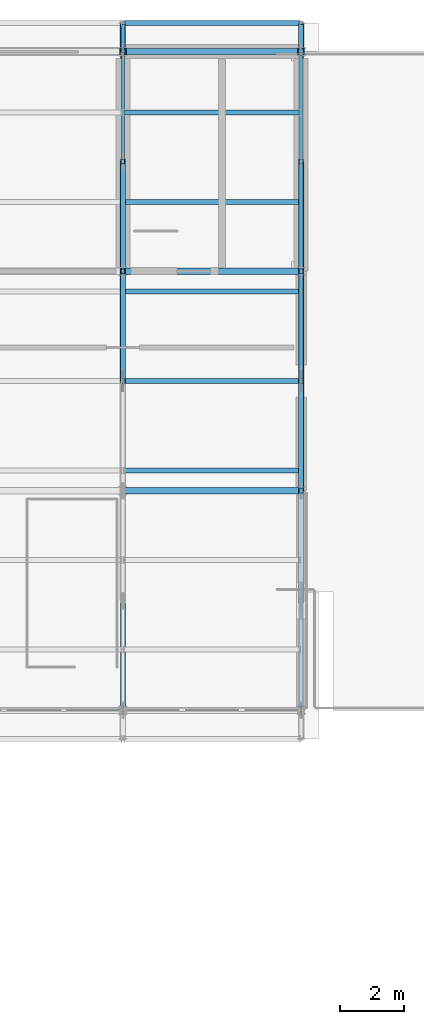
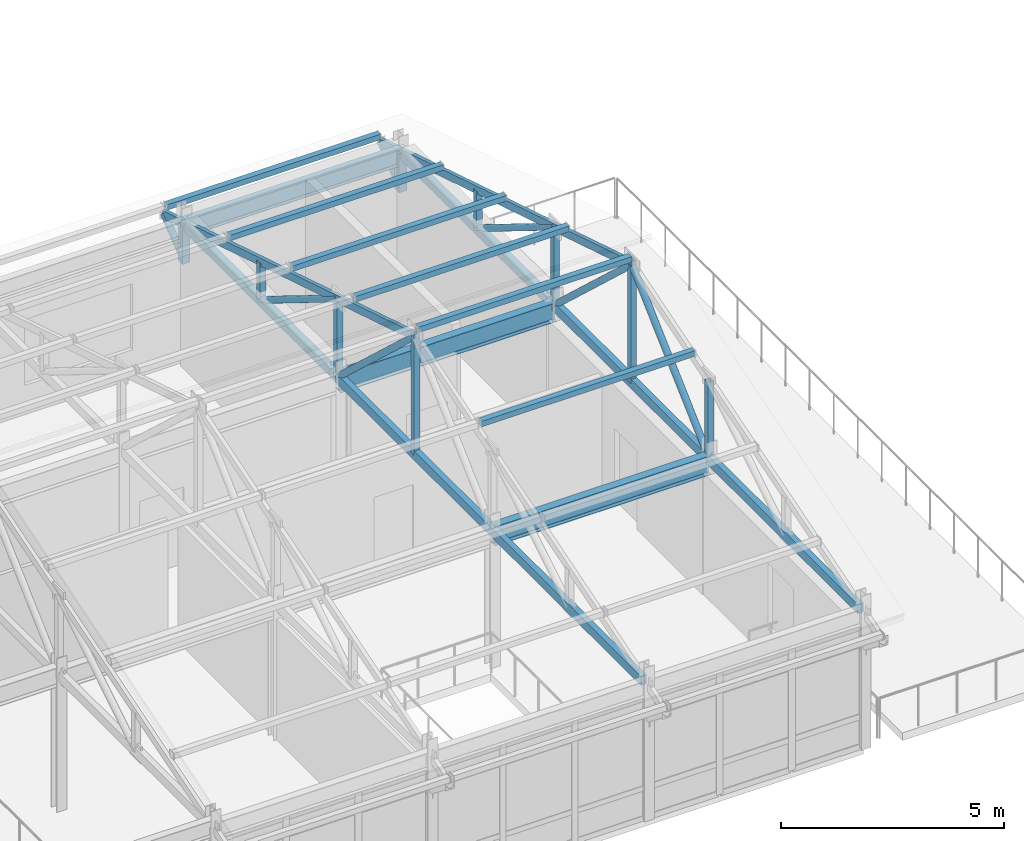
# One storey, part 78 of 144: 26 members, 3 beams.
"""IFC4 building model written with IfcOpenShell, lengths in metres."""

from ifc_helpers import new_model, si_unit, direction, frame, origin, origin_2d, place, context, subcontext, project, spatial, hollow_rectangle, hollow_circle, i_section, extrude, material, material_profile, profile_set, type_object, element, save


model = new_model("IFC4")

# Units and contexts
model_context = context("Model", 3, precision=1e-05, world=origin(), true_north=direction((0.0, 1.0)))
body_context = subcontext(model_context, "Body", "Model", "MODEL_VIEW")
ifc_project = project(units=[si_unit("LENGTHUNIT", "METRE"), si_unit("AREAUNIT", "SQUARE_METRE"), si_unit("VOLUMEUNIT", "CUBIC_METRE"), si_unit("PLANEANGLEUNIT", "RADIAN"), si_unit("MASSUNIT", "GRAM", prefix="KILO")], contexts=[model_context])

# Site, building, storey
site_placement = place(None, origin())
site = spatial("IfcSite", under=ifc_project, at=site_placement, CompositionType="ELEMENT")
building_placement = place(site_placement, origin())
building = spatial("IfcBuilding", under=site, at=building_placement, Name="Trelmorton Wharf Fire Station", CompositionType="ELEMENT")
storey_placement = place(building_placement, frame((0.0, 0.0, 5.39990234375)))
storey = spatial("IfcBuildingStorey", under=building, at=storey_placement, Name="L01", CompositionType="ELEMENT", Elevation=5.39990234375)

# Beams
ifc_material_1 = material(Name="Steel Grade 350", Category="steel")
ifc_material_profile_1 = material_profile(ifc_material_1, i_section(OverallWidth=0.208984375, OverallDepth=0.528076171875, WebThickness=0.009521484375, FlangeThickness=0.01318359375, FilletRadius=0.013916015625, at=origin_2d()), Name="530UB82.0")
ifc_profile_set_1 = profile_set([ifc_material_profile_1], Name="Steel Grade 350")
beam_type_1 = type_object("IfcBeamType", Name="BM_530UB82", PredefinedType="BEAM", material=ifc_profile_set_1)
for number, where, z_axis, x_axis, name in (
    (1, (34.404052734375, 67.199951171875, 3.55615234375), (1.0, 0.0, 0.0), (0.0, 1.0, 0.0), "BM-L01-0512"),
    (2, (34.404052734375, 74.10009765625, 3.55615234375), (1.0, 0.0, 0.0), (0.0, 1.0, 0.0), "BM-L01-0531"),
):
    element("IfcBeam", number, at=place(storey_placement, frame(where, z_axis=z_axis, x_axis=x_axis)), inside=storey, type_object=beam_type_1, Name=name, PredefinedType="BEAM", context=body_context, shape_type="SweptSolid", body=[
        extrude(i_section(OverallWidth=0.208984375, OverallDepth=0.528076171875, WebThickness=0.009521484375, FlangeThickness=0.01318359375, FilletRadius=0.013916015625, at=origin_2d()), origin(), (0.0, 0.0, 1.0), 5.592041015625),
    ])

# Members
ifc_material_2 = material(Name="Steel C350L0 (350 MPa)", Category="steel")
ifc_material_profile_2 = material_profile(ifc_material_2, hollow_rectangle(XDim=0.14990234375, YDim=0.14990234375, WallThickness=0.009033203125, at=origin_2d()), Name="150x150x9.0SHS")
ifc_profile_set_2 = profile_set([ifc_material_profile_2], Name="Steel C350L0 (350 MPa)")
member_type_1 = type_object("IfcMemberType", Name="PR_150SHS", PredefinedType="PURLIN", material=ifc_profile_set_2)
for number, where, z_axis, x_axis, name in (
    (3, (34.447021484375, 67.83740234375, 6.207763671875), (1.0, 0.0, 0.0), (0.0, 1.0, 0.0), "V6-PR-B03-S3"),
    (4, (34.447021484375, 70.64990234375, 7.077392578125), (1.0, 0.0, 0.0), (0.0, 1.0, 0.0), "V6-PR-B03-S4"),
    (5, (34.447021484375, 73.46240234375, 6.207763671875), (1.0, 0.0, 0.0), (0.0, 1.0, 0.0), "V6-PR-B03-N1"),
    (6, (34.447021484375, 76.27490234375, 5.338134765625), (1.0, 0.0, 0.0), (0.0, 1.0, 0.0), "V6-PR-B03-N2"),
    (7, (34.447021484375, 79.08740234375, 4.468505859375), (1.0, 0.0, 0.0), (0.0, 1.0, 0.0), "V6-PR-B03-N3"),
    (8, (34.447021484375, 81.89990234375, 3.598876953125), (1.0, 0.0, 0.0), (0.0, 1.0, 0.0), "V6-PR-B03-N4"),
):
    element("IfcMember", number, at=place(storey_placement, frame(where, z_axis=z_axis, x_axis=x_axis)), inside=storey, type_object=member_type_1, Name=name, PredefinedType="PURLIN", context=body_context, shape_type="SweptSolid", body=[
        extrude(hollow_rectangle(XDim=0.14990234375, YDim=0.14990234375, WallThickness=0.009033203125, at=origin_2d()), origin(), (0.0, 0.0, 1.0), 5.505859375),
    ])

# Beam
ifc_material_profile_3 = material_profile(ifc_material_1, i_section(OverallWidth=0.18994140625, OverallDepth=0.45703125, WebThickness=0.009033203125, FlangeThickness=0.014404296875, FilletRadius=0.011474609375, at=origin_2d()), Name="460UB74.6")
ifc_profile_set_3 = profile_set([ifc_material_profile_3], Name="Steel Grade 350")
beam_type_2 = type_object("IfcBeamType", Name="SP_460UB75", PredefinedType="SPANDREL", material=ifc_profile_set_3)
beam_placement = place(storey_placement, frame((34.404052734375, 81.0, 3.591552734375), z_axis=(1.0, 0.0, 0.0), x_axis=(0.0, 1.0, 0.0)))
element("IfcBeam", 9, at=beam_placement, inside=storey, type_object=beam_type_2, Name="BM-L01-0550", PredefinedType="SPANDREL", context=body_context, shape_type="SweptSolid", body=[
    extrude(i_section(OverallWidth=0.18994140625, OverallDepth=0.45703125, WebThickness=0.009033203125, FlangeThickness=0.014404296875, FilletRadius=0.011474609375, at=origin_2d()), origin(), (0.0, 0.0, 1.0), 5.592041015625),
])

# Members
ifc_material_profile_4 = material_profile(ifc_material_2, hollow_rectangle(XDim=0.14990234375, YDim=0.25, WallThickness=0.009033203125, at=origin_2d()), Name="250x150x9.0RHS")
ifc_profile_set_4 = profile_set([ifc_material_profile_4], Name="Steel C350L0 (350 MPa)")
member_type_2 = type_object("IfcMemberType", Name="TR_CHORD_250RHS", PredefinedType="CHORD", material=ifc_profile_set_4)
for number, where, z_axis, x_axis, name in (
    (10, (34.39990234375, 60.426025390625, 3.68408203125), (0.0, 1.0, 0.0), (-1.0, 0.0, 0.0), "V6-TR03-BC"),
    (11, (40.0, 60.426025390625, 3.68408203125), (0.0, 1.0, 0.0), (-1.0, 0.0, 0.0), "V6-TR04-BC"),
):
    element("IfcMember", number, at=place(storey_placement, frame(where, z_axis=z_axis, x_axis=x_axis)), inside=storey, type_object=member_type_2, Name=name, PredefinedType="CHORD", context=body_context, shape_type="SweptSolid", body=[
        extrude(hollow_rectangle(XDim=0.14990234375, YDim=0.25, WallThickness=0.009033203125, at=origin_2d()), origin(), (0.0, 0.0, 1.0), 20.447998046875),
    ])
ifc_material_profile_5 = material_profile(ifc_material_2, hollow_circle(Radius=0.084228515625, WallThickness=0.007080078125, at=origin_2d()), Name="168.3x7.1CHS")
ifc_profile_set_5 = profile_set([ifc_material_profile_5], Name="Steel C350L0 (350 MPa)")
member_type_3 = type_object("IfcMemberType", Name="TR_DIAG_168CHS", PredefinedType="STRUT", material=ifc_profile_set_5)
member_1_placement = place(storey_placement, frame((34.39990234375, 81.0, 2.7001953125), z_axis=(0.0, 0.786955048381, 0.617010333647), x_axis=(-1.0, 0.0, 0.0)))
element("IfcMember", 12, at=member_1_placement, inside=storey, type_object=member_type_3, Name="V6-TR03-EAV-N", PredefinedType="STRUT", context=body_context, shape_type="SweptSolid", body=[
    extrude(hollow_circle(Radius=0.084228515625, WallThickness=0.007080078125, at=origin_2d()), origin(), (0.0, 0.0, 1.0), 1.1435546875),
])
member_2_placement = place(storey_placement, frame((34.39990234375, 77.550048828125, 3.68408203125), z_axis=(0.0, -0.85052799659, 0.525929773845), x_axis=(1.0, 0.0, 0.0)))
element("IfcMember", 13, at=member_2_placement, inside=storey, type_object=member_type_3, Name="V6-TR03-DG-N1", PredefinedType="STRUT", context=body_context, shape_type="SweptSolid", body=[
    extrude(hollow_circle(Radius=0.084228515625, WallThickness=0.007080078125, at=origin_2d()), origin(), (0.0, 0.0, 1.0), 4.05615234375),
])
member_3_placement = place(storey_placement, frame((34.39990234375, 74.10009765625, 3.68408203125), z_axis=(0.0, -0.733196194837, 0.680017161458), x_axis=(1.0, 0.0, 0.0)))
element("IfcMember", 14, at=member_3_placement, inside=storey, type_object=member_type_3, Name="V6-TR03-DG-N2", PredefinedType="STRUT", context=body_context, shape_type="SweptSolid", body=[
    extrude(hollow_circle(Radius=0.084228515625, WallThickness=0.007080078125, at=origin_2d()), origin(), (0.0, 0.0, 1.0), 4.705810546875),
])
member_4_placement = place(storey_placement, frame((40.0, 81.0, 2.7001953125), z_axis=(0.0, 0.786955048381, 0.617010333647), x_axis=(-1.0, 0.0, 0.0)))
element("IfcMember", 15, at=member_4_placement, inside=storey, type_object=member_type_3, Name="V6-TR04-EAV-N", PredefinedType="STRUT", context=body_context, shape_type="SweptSolid", body=[
    extrude(hollow_circle(Radius=0.084228515625, WallThickness=0.007080078125, at=origin_2d()), origin(), (0.0, 0.0, 1.0), 1.1435546875),
])
member_5_placement = place(storey_placement, frame((40.0, 67.199951171875, 3.68408203125), z_axis=(0.0, 0.733172202027, 0.680043029649), x_axis=(-1.0, 0.0, 0.0)))
element("IfcMember", 16, at=member_5_placement, inside=storey, type_object=member_type_3, Name="V6-TR04-DG-S2", PredefinedType="STRUT", context=body_context, shape_type="SweptSolid", body=[
    extrude(hollow_circle(Radius=0.084228515625, WallThickness=0.007080078125, at=origin_2d()), origin(), (0.0, 0.0, 1.0), 4.70556640625),
])
member_6_placement = place(storey_placement, frame((40.0, 77.550048828125, 3.68408203125), z_axis=(0.0, -0.85052799659, 0.525929773845), x_axis=(1.0, 0.0, 0.0)))
element("IfcMember", 17, at=member_6_placement, inside=storey, type_object=member_type_3, Name="V6-TR04-DG-N1", PredefinedType="STRUT", context=body_context, shape_type="SweptSolid", body=[
    extrude(hollow_circle(Radius=0.084228515625, WallThickness=0.007080078125, at=origin_2d()), origin(), (0.0, 0.0, 1.0), 4.05615234375),
])
member_7_placement = place(storey_placement, frame((40.0, 74.10009765625, 3.68408203125), z_axis=(0.0, -0.733196194837, 0.680017161458), x_axis=(1.0, 0.0, 0.0)))
element("IfcMember", 18, at=member_7_placement, inside=storey, type_object=member_type_3, Name="V6-TR04-DG-N2", PredefinedType="STRUT", context=body_context, shape_type="SweptSolid", body=[
    extrude(hollow_circle(Radius=0.084228515625, WallThickness=0.007080078125, at=origin_2d()), origin(), (0.0, 0.0, 1.0), 4.705810546875),
])
ifc_material_profile_6 = material_profile(ifc_material_2, hollow_rectangle(XDim=0.14990234375, YDim=0.14990234375, WallThickness=0.009033203125, at=origin_2d()), Name="150x150x9.0SHS")
ifc_profile_set_6 = profile_set([ifc_material_profile_6], Name="Steel C350L0 (350 MPa)")
member_type_4 = type_object("IfcMemberType", Name="TR_POST_150SHS", PredefinedType="POST", material=ifc_profile_set_6)
member_8_placement = place(storey_placement, frame((34.39990234375, 70.64990234375, 3.68408203125), z_axis=(0.0, 0.0, 1.0), x_axis=(1.0, 0.0, 0.0)))
element("IfcMember", 19, at=member_8_placement, inside=storey, type_object=member_type_4, Name="V6-TR03-KP", PredefinedType="POST", context=body_context, shape_type="SweptSolid", body=[
    extrude(hollow_rectangle(XDim=0.14990234375, YDim=0.14990234375, WallThickness=0.009033203125, at=origin_2d()), origin(), (0.0, 0.0, 1.0), 3.322265625),
])
member_9_placement = place(storey_placement, frame((34.39990234375, 77.550048828125, 3.68408203125), z_axis=(0.0, 0.0, 1.0), x_axis=(1.0, 0.0, 0.0)))
element("IfcMember", 20, at=member_9_placement, inside=storey, type_object=member_type_4, Name="V6-TR03-VP-N1", PredefinedType="POST", context=body_context, shape_type="SweptSolid", body=[
    extrude(hollow_rectangle(XDim=0.14990234375, YDim=0.14990234375, WallThickness=0.009033203125, at=origin_2d()), origin(), (0.0, 0.0, 1.0), 1.066650390625),
])
member_10_placement = place(storey_placement, frame((34.39990234375, 74.10009765625, 3.68408203125), z_axis=(0.0, 0.0, 1.0), x_axis=(1.0, 0.0, 0.0)))
element("IfcMember", 21, at=member_10_placement, inside=storey, type_object=member_type_4, Name="V6-TR03-VP-N2", PredefinedType="POST", context=body_context, shape_type="SweptSolid", body=[
    extrude(hollow_rectangle(XDim=0.14990234375, YDim=0.14990234375, WallThickness=0.009033203125, at=origin_2d()), origin(), (0.0, 0.0, 1.0), 2.13330078125),
])
member_11_placement = place(storey_placement, frame((40.0, 70.64990234375, 3.68408203125), z_axis=(0.0, 0.0, 1.0), x_axis=(1.0, 0.0, 0.0)))
element("IfcMember", 22, at=member_11_placement, inside=storey, type_object=member_type_4, Name="V6-TR04-KP", PredefinedType="POST", context=body_context, shape_type="SweptSolid", body=[
    extrude(hollow_rectangle(XDim=0.14990234375, YDim=0.14990234375, WallThickness=0.009033203125, at=origin_2d()), origin(), (0.0, 0.0, 1.0), 3.322265625),
])
member_12_placement = place(storey_placement, frame((40.0, 67.199951171875, 3.68408203125), z_axis=(0.0, 0.0, 1.0), x_axis=(1.0, 0.0, 0.0)))
element("IfcMember", 23, at=member_12_placement, inside=storey, type_object=member_type_4, Name="V6-TR04-VP-S2", PredefinedType="POST", context=body_context, shape_type="SweptSolid", body=[
    extrude(hollow_rectangle(XDim=0.14990234375, YDim=0.14990234375, WallThickness=0.009033203125, at=origin_2d()), origin(), (0.0, 0.0, 1.0), 2.13330078125),
])
member_13_placement = place(storey_placement, frame((40.0, 77.550048828125, 3.68408203125), z_axis=(0.0, 0.0, 1.0), x_axis=(1.0, 0.0, 0.0)))
element("IfcMember", 24, at=member_13_placement, inside=storey, type_object=member_type_4, Name="V6-TR04-VP-N1", PredefinedType="POST", context=body_context, shape_type="SweptSolid", body=[
    extrude(hollow_rectangle(XDim=0.14990234375, YDim=0.14990234375, WallThickness=0.009033203125, at=origin_2d()), origin(), (0.0, 0.0, 1.0), 1.066650390625),
])
member_14_placement = place(storey_placement, frame((40.0, 74.10009765625, 3.68408203125), z_axis=(0.0, 0.0, 1.0), x_axis=(1.0, 0.0, 0.0)))
element("IfcMember", 25, at=member_14_placement, inside=storey, type_object=member_type_4, Name="V6-TR04-VP-N2", PredefinedType="POST", context=body_context, shape_type="SweptSolid", body=[
    extrude(hollow_rectangle(XDim=0.14990234375, YDim=0.14990234375, WallThickness=0.009033203125, at=origin_2d()), origin(), (0.0, 0.0, 1.0), 2.13330078125),
])
ifc_material_profile_7 = material_profile(ifc_material_2, hollow_rectangle(XDim=0.199951171875, YDim=0.199951171875, WallThickness=0.010009765625, at=origin_2d()), Name="200x200x10.0SHS")
ifc_profile_set_7 = profile_set([ifc_material_profile_7], Name="Steel C350L0 (350 MPa)")
member_type_5 = type_object("IfcMemberType", Name="TR_POST_200SHS", PredefinedType="POST", material=ifc_profile_set_7)
for number, where, z_axis, x_axis, name in (
    (26, (34.39990234375, 81.0, 2.650146484375), (0.0, 0.0, 1.0), (1.0, 0.0, 0.0), "V6-TR03-SHN"),
    (27, (40.0, 81.0, 2.650146484375), (0.0, 0.0, 1.0), (1.0, 0.0, 0.0), "V6-TR04-SHN"),
):
    element("IfcMember", number, at=place(storey_placement, frame(where, z_axis=z_axis, x_axis=x_axis)), inside=storey, type_object=member_type_5, Name=name, PredefinedType="POST", context=body_context, shape_type="SweptSolid", body=[
        extrude(hollow_rectangle(XDim=0.199951171875, YDim=0.199951171875, WallThickness=0.010009765625, at=origin_2d()), origin(), (0.0, 0.0, 1.0), 1.033935546875),
    ])
ifc_material_profile_8 = material_profile(ifc_material_2, hollow_rectangle(XDim=0.10009765625, YDim=0.199951171875, WallThickness=0.006103515625, at=origin_2d()), Name="200x100x6.0RHS")
ifc_profile_set_8 = profile_set([ifc_material_profile_8], Name="Steel C350L0 (350 MPa)")
member_type_6 = type_object("IfcMemberType", Name="TR_RAFT_200RHS", PredefinedType="RAFTER", material=ifc_profile_set_8)
for number, where, z_axis, x_axis, name in (
    (28, (34.39990234375, 70.64990234375, 6.884033203125), (0.0, 0.955378707883, -0.295383690348), (-1.0, 0.0, 0.0), "V6-TR03-RFN"),
    (29, (40.0, 70.64990234375, 6.884033203125), (0.0, 0.955378707883, -0.295383690348), (-1.0, 0.0, 0.0), "V6-TR04-RFN"),
):
    element("IfcMember", number, at=place(storey_placement, frame(where, z_axis=z_axis, x_axis=x_axis)), inside=storey, type_object=member_type_6, Name=name, PredefinedType="RAFTER", context=body_context, shape_type="SweptSolid", body=[
        extrude(hollow_rectangle(XDim=0.10009765625, YDim=0.199951171875, WallThickness=0.006103515625, at=origin_2d()), origin(), (0.0, 0.0, 1.0), 11.775390625),
    ])

save(model, "model.ifc")
